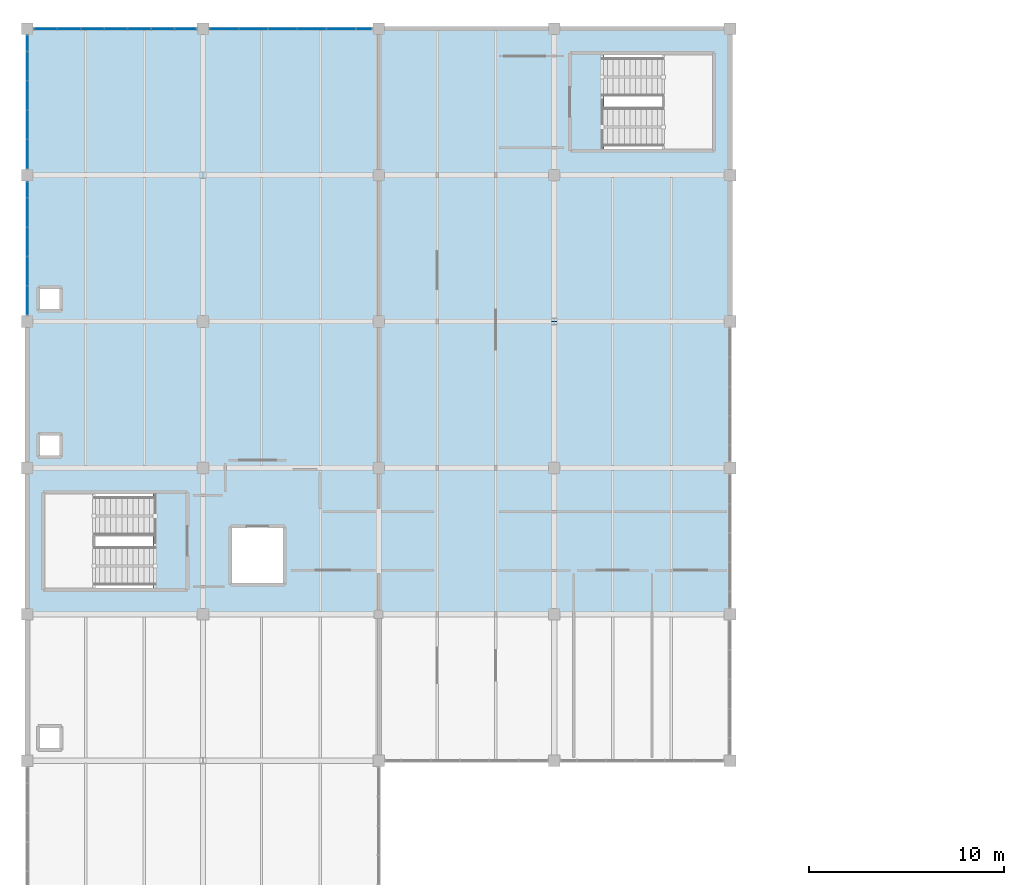
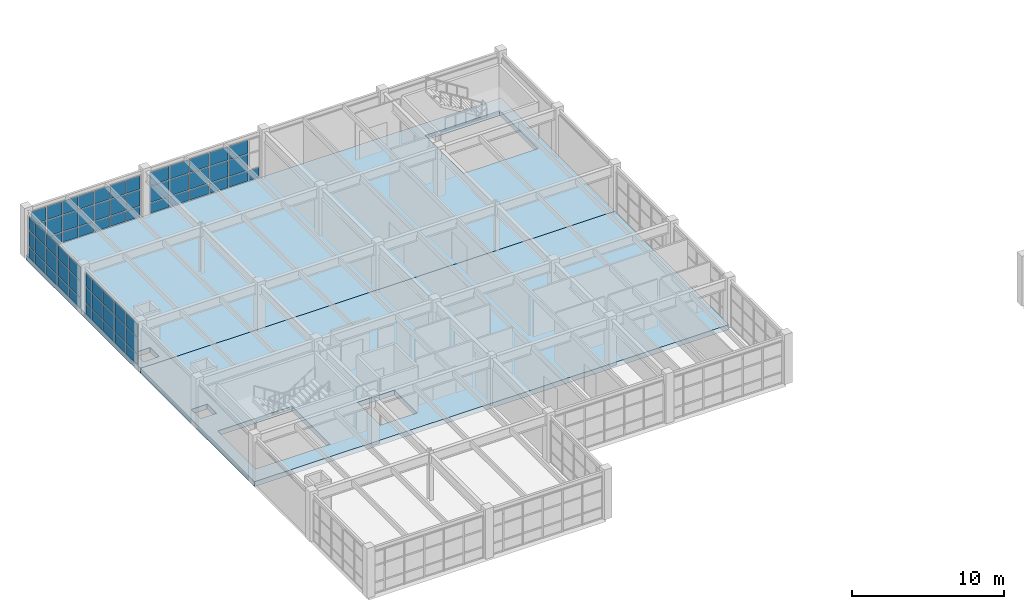
# One storey, part 54 of 76: 67 plates, 2 slabs, 4 elements without a shape of their own.
"""IFC4 building model written with IfcOpenShell, lengths in metres."""

from ifc_helpers import new_model, si_unit, direction, frame, origin, origin_2d, place, context, subcontext, project, spatial, polyline, rectangle, outline, extrude, material, layer, layer_set, type_object, element, aggregate, save


model = new_model("IFC4")

# Units and contexts
model_context = context("Model", 3, precision=1e-05, world=origin(), true_north=direction((0.0, 1.0)))
body_context = subcontext(model_context, "Body", "Model", "MODEL_VIEW")
ifc_project = project(units=[si_unit("LENGTHUNIT", "METRE"), si_unit("AREAUNIT", "SQUARE_METRE"), si_unit("VOLUMEUNIT", "CUBIC_METRE"), si_unit("PLANEANGLEUNIT", "RADIAN"), si_unit("MASSUNIT", "GRAM", prefix="KILO")], contexts=[model_context])

# Site, building, storey
site_placement = place(None, origin())
site = spatial("IfcSite", under=ifc_project, at=site_placement, CompositionType="ELEMENT")
building_placement = place(site_placement, origin())
building = spatial("IfcBuilding", under=site, at=building_placement, Name="Marnridge Secondary College", CompositionType="ELEMENT")
storey_placement = place(building_placement, frame((0.0, 0.0, 4.5)))
storey = spatial("IfcBuildingStorey", under=building, at=storey_placement, Name="L01", CompositionType="ELEMENT", Elevation=4.5)

# Curtain wall, plates
ifc_material_1 = material(Name="Thermally broken aluminium and low-E glazing", Category="aluminium")
ifc_layer_1 = layer(ifc_material_1, 0.179931640625)
ifc_layer_set_1 = layer_set([ifc_layer_1], Name="CW-MOD-1200")
curtain_wall_type_1 = type_object("IfcCurtainWallType", Name="CW-MOD-1200", PredefinedType="NOTDEFINED", material=ifc_layer_set_1)
curtain_wall_1_placement = place(storey_placement, origin())
curtain_wall_1 = element("IfcCurtainWall", 1, at=curtain_wall_1_placement, inside=storey, type_object=curtain_wall_type_1, Name="Unitised curtain wall CW-L01-046", PredefinedType="NOTDEFINED")
ifc_material_2 = material(Name="Double-glazed low-E argon unit", Category="glass")
ifc_layer_2 = layer(ifc_material_2, 0.028076171875)
ifc_layer_set_2 = layer_set([ifc_layer_2], Name="CWP-GLZ28")
plate_type = type_object("IfcPlateType", Name="CWP-GLZ28", PredefinedType="CURTAIN_PANEL", material=ifc_layer_set_2)
plate_1_placement = place(storey_placement, frame((0.9365234375, 120.0, 0.06005859375), z_axis=(0.0, 0.0, 1.0), x_axis=(1.0, 0.0, 0.0)))
plate_1 = element("IfcPlate", 2, at=plate_1_placement, type_object=plate_type, Name="CW-L01-046 panel 1.1", PredefinedType="CURTAIN_PANEL", context=body_context, shape_type="SweptSolid", body=[
    extrude(rectangle(XDim=1.135009765625, YDim=0.028076171875, at=origin_2d()), origin(), (0.0, 0.0, 1.0), 0.81005859375),
])
plate_2_placement = place(storey_placement, frame((0.9365234375, 120.0, 0.929931640625), z_axis=(0.0, 0.0, 1.0), x_axis=(1.0, 0.0, 0.0)))
plate_2 = element("IfcPlate", 3, at=plate_2_placement, type_object=plate_type, Name="CW-L01-046 panel 1.2", PredefinedType="CURTAIN_PANEL", context=body_context, shape_type="SweptSolid", body=[
    extrude(rectangle(XDim=1.135009765625, YDim=0.028076171875, at=origin_2d()), origin(), (0.0, 0.0, 1.0), 1.2900390625),
])
plate_3_placement = place(storey_placement, frame((0.9365234375, 120.0, 2.280029296875), z_axis=(0.0, 0.0, 1.0), x_axis=(1.0, 0.0, 0.0)))
plate_3 = element("IfcPlate", 4, at=plate_3_placement, type_object=plate_type, Name="CW-L01-046 panel 1.3", PredefinedType="CURTAIN_PANEL", context=body_context, shape_type="SweptSolid", body=[
    extrude(rectangle(XDim=1.135009765625, YDim=0.028076171875, at=origin_2d()), origin(), (0.0, 0.0, 1.0), 1.06005859375),
])
plate_4_placement = place(storey_placement, frame((2.136474609375, 120.0, 0.06005859375), z_axis=(0.0, 0.0, 1.0), x_axis=(1.0, 0.0, 0.0)))
plate_4 = element("IfcPlate", 5, at=plate_4_placement, type_object=plate_type, Name="CW-L01-046 panel 2.1", PredefinedType="CURTAIN_PANEL", context=body_context, shape_type="SweptSolid", body=[
    extrude(rectangle(XDim=1.135009765625, YDim=0.028076171875, at=origin_2d()), origin(), (0.0, 0.0, 1.0), 0.81005859375),
])
plate_5_placement = place(storey_placement, frame((2.136474609375, 120.0, 0.929931640625), z_axis=(0.0, 0.0, 1.0), x_axis=(1.0, 0.0, 0.0)))
plate_5 = element("IfcPlate", 6, at=plate_5_placement, type_object=plate_type, Name="CW-L01-046 panel 2.2", PredefinedType="CURTAIN_PANEL", context=body_context, shape_type="SweptSolid", body=[
    extrude(rectangle(XDim=1.135009765625, YDim=0.028076171875, at=origin_2d()), origin(), (0.0, 0.0, 1.0), 1.2900390625),
])
plate_6_placement = place(storey_placement, frame((2.136474609375, 120.0, 2.280029296875), z_axis=(0.0, 0.0, 1.0), x_axis=(1.0, 0.0, 0.0)))
plate_6 = element("IfcPlate", 7, at=plate_6_placement, type_object=plate_type, Name="CW-L01-046 panel 2.3", PredefinedType="CURTAIN_PANEL", context=body_context, shape_type="SweptSolid", body=[
    extrude(rectangle(XDim=1.135009765625, YDim=0.028076171875, at=origin_2d()), origin(), (0.0, 0.0, 1.0), 1.06005859375),
])
plate_7_placement = place(storey_placement, frame((3.33642578125, 120.0, 0.06005859375), z_axis=(0.0, 0.0, 1.0), x_axis=(1.0, 0.0, 0.0)))
plate_7 = element("IfcPlate", 8, at=plate_7_placement, type_object=plate_type, Name="CW-L01-046 panel 3.1", PredefinedType="CURTAIN_PANEL", context=body_context, shape_type="SweptSolid", body=[
    extrude(rectangle(XDim=1.135009765625, YDim=0.028076171875, at=origin_2d()), origin(), (0.0, 0.0, 1.0), 0.81005859375),
])
plate_8_placement = place(storey_placement, frame((3.33642578125, 120.0, 0.929931640625), z_axis=(0.0, 0.0, 1.0), x_axis=(1.0, 0.0, 0.0)))
plate_8 = element("IfcPlate", 9, at=plate_8_placement, type_object=plate_type, Name="CW-L01-046 panel 3.2", PredefinedType="CURTAIN_PANEL", context=body_context, shape_type="SweptSolid", body=[
    extrude(rectangle(XDim=1.135009765625, YDim=0.028076171875, at=origin_2d()), origin(), (0.0, 0.0, 1.0), 1.2900390625),
])
plate_9_placement = place(storey_placement, frame((3.33642578125, 120.0, 2.280029296875), z_axis=(0.0, 0.0, 1.0), x_axis=(1.0, 0.0, 0.0)))
plate_9 = element("IfcPlate", 10, at=plate_9_placement, type_object=plate_type, Name="CW-L01-046 panel 3.3", PredefinedType="CURTAIN_PANEL", context=body_context, shape_type="SweptSolid", body=[
    extrude(rectangle(XDim=1.135009765625, YDim=0.028076171875, at=origin_2d()), origin(), (0.0, 0.0, 1.0), 1.06005859375),
])
plate_10_placement = place(storey_placement, frame((4.53662109375, 120.0, 0.06005859375), z_axis=(0.0, 0.0, 1.0), x_axis=(1.0, 0.0, 0.0)))
plate_10 = element("IfcPlate", 11, at=plate_10_placement, type_object=plate_type, Name="CW-L01-046 panel 4.1", PredefinedType="CURTAIN_PANEL", context=body_context, shape_type="SweptSolid", body=[
    extrude(rectangle(XDim=1.135009765625, YDim=0.028076171875, at=origin_2d()), origin(), (0.0, 0.0, 1.0), 0.81005859375),
])
plate_11_placement = place(storey_placement, frame((4.53662109375, 120.0, 0.929931640625), z_axis=(0.0, 0.0, 1.0), x_axis=(1.0, 0.0, 0.0)))
plate_11 = element("IfcPlate", 12, at=plate_11_placement, type_object=plate_type, Name="CW-L01-046 panel 4.2", PredefinedType="CURTAIN_PANEL", context=body_context, shape_type="SweptSolid", body=[
    extrude(rectangle(XDim=1.135009765625, YDim=0.028076171875, at=origin_2d()), origin(), (0.0, 0.0, 1.0), 1.2900390625),
])
plate_12_placement = place(storey_placement, frame((4.53662109375, 120.0, 2.280029296875), z_axis=(0.0, 0.0, 1.0), x_axis=(1.0, 0.0, 0.0)))
plate_12 = element("IfcPlate", 13, at=plate_12_placement, type_object=plate_type, Name="CW-L01-046 panel 4.3", PredefinedType="CURTAIN_PANEL", context=body_context, shape_type="SweptSolid", body=[
    extrude(rectangle(XDim=1.135009765625, YDim=0.028076171875, at=origin_2d()), origin(), (0.0, 0.0, 1.0), 1.06005859375),
])
plate_13_placement = place(storey_placement, frame((5.736572265625, 120.0, 0.06005859375), z_axis=(0.0, 0.0, 1.0), x_axis=(1.0, 0.0, 0.0)))
plate_13 = element("IfcPlate", 14, at=plate_13_placement, type_object=plate_type, Name="CW-L01-046 panel 5.1", PredefinedType="CURTAIN_PANEL", context=body_context, shape_type="SweptSolid", body=[
    extrude(rectangle(XDim=1.135009765625, YDim=0.028076171875, at=origin_2d()), origin(), (0.0, 0.0, 1.0), 0.81005859375),
])
plate_14_placement = place(storey_placement, frame((5.736572265625, 120.0, 0.929931640625), z_axis=(0.0, 0.0, 1.0), x_axis=(1.0, 0.0, 0.0)))
plate_14 = element("IfcPlate", 15, at=plate_14_placement, type_object=plate_type, Name="CW-L01-046 panel 5.2", PredefinedType="CURTAIN_PANEL", context=body_context, shape_type="SweptSolid", body=[
    extrude(rectangle(XDim=1.135009765625, YDim=0.028076171875, at=origin_2d()), origin(), (0.0, 0.0, 1.0), 1.2900390625),
])
plate_15_placement = place(storey_placement, frame((5.736572265625, 120.0, 2.280029296875), z_axis=(0.0, 0.0, 1.0), x_axis=(1.0, 0.0, 0.0)))
plate_15 = element("IfcPlate", 16, at=plate_15_placement, type_object=plate_type, Name="CW-L01-046 panel 5.3", PredefinedType="CURTAIN_PANEL", context=body_context, shape_type="SweptSolid", body=[
    extrude(rectangle(XDim=1.135009765625, YDim=0.028076171875, at=origin_2d()), origin(), (0.0, 0.0, 1.0), 1.06005859375),
])
plate_16_placement = place(storey_placement, frame((6.9365234375, 120.0, 0.06005859375), z_axis=(0.0, 0.0, 1.0), x_axis=(1.0, 0.0, 0.0)))
plate_16 = element("IfcPlate", 17, at=plate_16_placement, type_object=plate_type, Name="CW-L01-046 panel 6.1", PredefinedType="CURTAIN_PANEL", context=body_context, shape_type="SweptSolid", body=[
    extrude(rectangle(XDim=1.135009765625, YDim=0.028076171875, at=origin_2d()), origin(), (0.0, 0.0, 1.0), 0.81005859375),
])
plate_17_placement = place(storey_placement, frame((6.9365234375, 120.0, 0.929931640625), z_axis=(0.0, 0.0, 1.0), x_axis=(1.0, 0.0, 0.0)))
plate_17 = element("IfcPlate", 18, at=plate_17_placement, type_object=plate_type, Name="CW-L01-046 panel 6.2", PredefinedType="CURTAIN_PANEL", context=body_context, shape_type="SweptSolid", body=[
    extrude(rectangle(XDim=1.135009765625, YDim=0.028076171875, at=origin_2d()), origin(), (0.0, 0.0, 1.0), 1.2900390625),
])
plate_18_placement = place(storey_placement, frame((6.9365234375, 120.0, 2.280029296875), z_axis=(0.0, 0.0, 1.0), x_axis=(1.0, 0.0, 0.0)))
plate_18 = element("IfcPlate", 19, at=plate_18_placement, type_object=plate_type, Name="CW-L01-046 panel 6.3", PredefinedType="CURTAIN_PANEL", context=body_context, shape_type="SweptSolid", body=[
    extrude(rectangle(XDim=1.135009765625, YDim=0.028076171875, at=origin_2d()), origin(), (0.0, 0.0, 1.0), 1.06005859375),
])
plate_19_placement = place(storey_placement, frame((8.10009765625, 120.0, 0.06005859375), z_axis=(0.0, 0.0, 1.0), x_axis=(1.0, 0.0, 0.0)))
plate_19 = element("IfcPlate", 20, at=plate_19_placement, type_object=plate_type, Name="CW-L01-046 panel 7.1", PredefinedType="CURTAIN_PANEL", context=body_context, shape_type="SweptSolid", body=[
    extrude(rectangle(XDim=1.06201171875, YDim=0.028076171875, at=origin_2d()), origin(), (0.0, 0.0, 1.0), 0.81005859375),
])
plate_20_placement = place(storey_placement, frame((8.10009765625, 120.0, 0.929931640625), z_axis=(0.0, 0.0, 1.0), x_axis=(1.0, 0.0, 0.0)))
plate_20 = element("IfcPlate", 21, at=plate_20_placement, type_object=plate_type, Name="CW-L01-046 panel 7.2", PredefinedType="CURTAIN_PANEL", context=body_context, shape_type="SweptSolid", body=[
    extrude(rectangle(XDim=1.06201171875, YDim=0.028076171875, at=origin_2d()), origin(), (0.0, 0.0, 1.0), 1.2900390625),
])
plate_21_placement = place(storey_placement, frame((8.10009765625, 120.0, 2.280029296875), z_axis=(0.0, 0.0, 1.0), x_axis=(1.0, 0.0, 0.0)))
plate_21 = element("IfcPlate", 22, at=plate_21_placement, type_object=plate_type, Name="CW-L01-046 panel 7.3", PredefinedType="CURTAIN_PANEL", context=body_context, shape_type="SweptSolid", body=[
    extrude(rectangle(XDim=1.06201171875, YDim=0.028076171875, at=origin_2d()), origin(), (0.0, 0.0, 1.0), 1.06005859375),
])
aggregate(curtain_wall_1, [plate_1, plate_2, plate_3, plate_4, plate_5, plate_6, plate_7, plate_8, plate_9, plate_10, plate_11, plate_12, plate_13, plate_14, plate_15, plate_16, plate_17, plate_18, plate_19, plate_20, plate_21])

ifc_material_3 = material(Name="Thermally broken aluminium and low-E glazing", Category="aluminium")
ifc_layer_3 = layer(ifc_material_3, 0.159912109375)
ifc_layer_set_3 = layer_set([ifc_layer_3], Name="CW-MOD-1500")
curtain_wall_type_2 = type_object("IfcCurtainWallType", Name="CW-MOD-1500", PredefinedType="NOTDEFINED", material=ifc_layer_set_3)
curtain_wall_2_placement = place(storey_placement, origin())
curtain_wall_2 = element("IfcCurtainWall", 23, at=curtain_wall_2_placement, inside=storey, type_object=curtain_wall_type_2, Name="Unitised curtain wall CW-L01-047", PredefinedType="NOTDEFINED")
plate_22_placement = place(storey_placement, frame((10.083984375, 120.0, 0.06005859375), z_axis=(0.0, 0.0, 1.0), x_axis=(1.0, 0.0, 0.0)))
plate_22 = element("IfcPlate", 24, at=plate_22_placement, type_object=plate_type, Name="CW-L01-047 panel 1.1", PredefinedType="CURTAIN_PANEL", context=body_context, shape_type="SweptSolid", body=[
    extrude(rectangle(XDim=1.43994140625, YDim=0.028076171875, at=origin_2d()), origin(), (0.0, 0.0, 1.0), 0.81005859375),
])
plate_23_placement = place(storey_placement, frame((10.083984375, 120.0, 0.929931640625), z_axis=(0.0, 0.0, 1.0), x_axis=(1.0, 0.0, 0.0)))
plate_23 = element("IfcPlate", 25, at=plate_23_placement, type_object=plate_type, Name="CW-L01-047 panel 1.2", PredefinedType="CURTAIN_PANEL", context=body_context, shape_type="SweptSolid", body=[
    extrude(rectangle(XDim=1.43994140625, YDim=0.028076171875, at=origin_2d()), origin(), (0.0, 0.0, 1.0), 1.2900390625),
])
plate_24_placement = place(storey_placement, frame((10.083984375, 120.0, 2.280029296875), z_axis=(0.0, 0.0, 1.0), x_axis=(1.0, 0.0, 0.0)))
plate_24 = element("IfcPlate", 26, at=plate_24_placement, type_object=plate_type, Name="CW-L01-047 panel 1.3", PredefinedType="CURTAIN_PANEL", context=body_context, shape_type="SweptSolid", body=[
    extrude(rectangle(XDim=1.43994140625, YDim=0.028076171875, at=origin_2d()), origin(), (0.0, 0.0, 1.0), 1.06005859375),
])
plate_25_placement = place(storey_placement, frame((11.583984375, 120.0, 0.06005859375), z_axis=(0.0, 0.0, 1.0), x_axis=(1.0, 0.0, 0.0)))
plate_25 = element("IfcPlate", 27, at=plate_25_placement, type_object=plate_type, Name="CW-L01-047 panel 2.1", PredefinedType="CURTAIN_PANEL", context=body_context, shape_type="SweptSolid", body=[
    extrude(rectangle(XDim=1.43994140625, YDim=0.028076171875, at=origin_2d()), origin(), (0.0, 0.0, 1.0), 0.81005859375),
])
plate_26_placement = place(storey_placement, frame((11.583984375, 120.0, 0.929931640625), z_axis=(0.0, 0.0, 1.0), x_axis=(1.0, 0.0, 0.0)))
plate_26 = element("IfcPlate", 28, at=plate_26_placement, type_object=plate_type, Name="CW-L01-047 panel 2.2", PredefinedType="CURTAIN_PANEL", context=body_context, shape_type="SweptSolid", body=[
    extrude(rectangle(XDim=1.43994140625, YDim=0.028076171875, at=origin_2d()), origin(), (0.0, 0.0, 1.0), 1.2900390625),
])
plate_27_placement = place(storey_placement, frame((11.583984375, 120.0, 2.280029296875), z_axis=(0.0, 0.0, 1.0), x_axis=(1.0, 0.0, 0.0)))
plate_27 = element("IfcPlate", 29, at=plate_27_placement, type_object=plate_type, Name="CW-L01-047 panel 2.3", PredefinedType="CURTAIN_PANEL", context=body_context, shape_type="SweptSolid", body=[
    extrude(rectangle(XDim=1.43994140625, YDim=0.028076171875, at=origin_2d()), origin(), (0.0, 0.0, 1.0), 1.06005859375),
])
plate_28_placement = place(storey_placement, frame((13.083984375, 120.0, 0.06005859375), z_axis=(0.0, 0.0, 1.0), x_axis=(1.0, 0.0, 0.0)))
plate_28 = element("IfcPlate", 30, at=plate_28_placement, type_object=plate_type, Name="CW-L01-047 panel 3.1", PredefinedType="CURTAIN_PANEL", context=body_context, shape_type="SweptSolid", body=[
    extrude(rectangle(XDim=1.43994140625, YDim=0.028076171875, at=origin_2d()), origin(), (0.0, 0.0, 1.0), 0.81005859375),
])
plate_29_placement = place(storey_placement, frame((13.083984375, 120.0, 0.929931640625), z_axis=(0.0, 0.0, 1.0), x_axis=(1.0, 0.0, 0.0)))
plate_29 = element("IfcPlate", 31, at=plate_29_placement, type_object=plate_type, Name="CW-L01-047 panel 3.2", PredefinedType="CURTAIN_PANEL", context=body_context, shape_type="SweptSolid", body=[
    extrude(rectangle(XDim=1.43994140625, YDim=0.028076171875, at=origin_2d()), origin(), (0.0, 0.0, 1.0), 1.2900390625),
])
plate_30_placement = place(storey_placement, frame((13.083984375, 120.0, 2.280029296875), z_axis=(0.0, 0.0, 1.0), x_axis=(1.0, 0.0, 0.0)))
plate_30 = element("IfcPlate", 32, at=plate_30_placement, type_object=plate_type, Name="CW-L01-047 panel 3.3", PredefinedType="CURTAIN_PANEL", context=body_context, shape_type="SweptSolid", body=[
    extrude(rectangle(XDim=1.43994140625, YDim=0.028076171875, at=origin_2d()), origin(), (0.0, 0.0, 1.0), 1.06005859375),
])
plate_31_placement = place(storey_placement, frame((14.583984375, 120.0, 0.06005859375), z_axis=(0.0, 0.0, 1.0), x_axis=(1.0, 0.0, 0.0)))
plate_31 = element("IfcPlate", 33, at=plate_31_placement, type_object=plate_type, Name="CW-L01-047 panel 4.1", PredefinedType="CURTAIN_PANEL", context=body_context, shape_type="SweptSolid", body=[
    extrude(rectangle(XDim=1.43994140625, YDim=0.028076171875, at=origin_2d()), origin(), (0.0, 0.0, 1.0), 0.81005859375),
])
plate_32_placement = place(storey_placement, frame((14.583984375, 120.0, 0.929931640625), z_axis=(0.0, 0.0, 1.0), x_axis=(1.0, 0.0, 0.0)))
plate_32 = element("IfcPlate", 34, at=plate_32_placement, type_object=plate_type, Name="CW-L01-047 panel 4.2", PredefinedType="CURTAIN_PANEL", context=body_context, shape_type="SweptSolid", body=[
    extrude(rectangle(XDim=1.43994140625, YDim=0.028076171875, at=origin_2d()), origin(), (0.0, 0.0, 1.0), 1.2900390625),
])
plate_33_placement = place(storey_placement, frame((14.583984375, 120.0, 2.280029296875), z_axis=(0.0, 0.0, 1.0), x_axis=(1.0, 0.0, 0.0)))
plate_33 = element("IfcPlate", 35, at=plate_33_placement, type_object=plate_type, Name="CW-L01-047 panel 4.3", PredefinedType="CURTAIN_PANEL", context=body_context, shape_type="SweptSolid", body=[
    extrude(rectangle(XDim=1.43994140625, YDim=0.028076171875, at=origin_2d()), origin(), (0.0, 0.0, 1.0), 1.06005859375),
])
plate_34_placement = place(storey_placement, frame((16.083984375, 120.0, 0.06005859375), z_axis=(0.0, 0.0, 1.0), x_axis=(1.0, 0.0, 0.0)))
plate_34 = element("IfcPlate", 36, at=plate_34_placement, type_object=plate_type, Name="CW-L01-047 panel 5.1", PredefinedType="CURTAIN_PANEL", context=body_context, shape_type="SweptSolid", body=[
    extrude(rectangle(XDim=1.43994140625, YDim=0.028076171875, at=origin_2d()), origin(), (0.0, 0.0, 1.0), 0.81005859375),
])
plate_35_placement = place(storey_placement, frame((16.083984375, 120.0, 0.929931640625), z_axis=(0.0, 0.0, 1.0), x_axis=(1.0, 0.0, 0.0)))
plate_35 = element("IfcPlate", 37, at=plate_35_placement, type_object=plate_type, Name="CW-L01-047 panel 5.2", PredefinedType="CURTAIN_PANEL", context=body_context, shape_type="SweptSolid", body=[
    extrude(rectangle(XDim=1.43994140625, YDim=0.028076171875, at=origin_2d()), origin(), (0.0, 0.0, 1.0), 1.2900390625),
])
plate_36_placement = place(storey_placement, frame((16.083984375, 120.0, 2.280029296875), z_axis=(0.0, 0.0, 1.0), x_axis=(1.0, 0.0, 0.0)))
plate_36 = element("IfcPlate", 38, at=plate_36_placement, type_object=plate_type, Name="CW-L01-047 panel 5.3", PredefinedType="CURTAIN_PANEL", context=body_context, shape_type="SweptSolid", body=[
    extrude(rectangle(XDim=1.43994140625, YDim=0.028076171875, at=origin_2d()), origin(), (0.0, 0.0, 1.0), 1.06005859375),
])
plate_37_placement = place(storey_placement, frame((17.25, 120.0, 0.06005859375), z_axis=(0.0, 0.0, 1.0), x_axis=(1.0, 0.0, 0.0)))
plate_37 = element("IfcPlate", 39, at=plate_37_placement, type_object=plate_type, Name="CW-L01-047 panel 6.1", PredefinedType="CURTAIN_PANEL", context=body_context, shape_type="SweptSolid", body=[
    extrude(rectangle(XDim=0.77197265625, YDim=0.028076171875, at=origin_2d()), origin(), (0.0, 0.0, 1.0), 0.81005859375),
])
aggregate(curtain_wall_2, [plate_22, plate_23, plate_24, plate_25, plate_26, plate_27, plate_28, plate_29, plate_30, plate_31, plate_32, plate_33, plate_34, plate_35, plate_36, plate_37])

curtain_wall_3_placement = place(storey_placement, origin())
curtain_wall_3 = element("IfcCurtainWall", 40, at=curtain_wall_3_placement, inside=storey, type_object=curtain_wall_type_2, Name="Unitised curtain wall CW-L01-057", PredefinedType="NOTDEFINED")
plate_38_placement = place(storey_placement, frame((0.0, 106.083984375, 0.06005859375), z_axis=(0.0, 0.0, 1.0), x_axis=(0.0, 1.0, 0.0)))
plate_38 = element("IfcPlate", 41, at=plate_38_placement, type_object=plate_type, Name="CW-L01-057 panel 1.1", PredefinedType="CURTAIN_PANEL", context=body_context, shape_type="SweptSolid", body=[
    extrude(rectangle(XDim=1.43994140625, YDim=0.028076171875, at=origin_2d()), origin(), (0.0, 0.0, 1.0), 0.81005859375),
])
plate_39_placement = place(storey_placement, frame((0.0, 106.083984375, 0.929931640625), z_axis=(0.0, 0.0, 1.0), x_axis=(0.0, 1.0, 0.0)))
plate_39 = element("IfcPlate", 42, at=plate_39_placement, type_object=plate_type, Name="CW-L01-057 panel 1.2", PredefinedType="CURTAIN_PANEL", context=body_context, shape_type="SweptSolid", body=[
    extrude(rectangle(XDim=1.43994140625, YDim=0.028076171875, at=origin_2d()), origin(), (0.0, 0.0, 1.0), 1.2900390625),
])
plate_40_placement = place(storey_placement, frame((0.0, 106.083984375, 2.280029296875), z_axis=(0.0, 0.0, 1.0), x_axis=(0.0, 1.0, 0.0)))
plate_40 = element("IfcPlate", 43, at=plate_40_placement, type_object=plate_type, Name="CW-L01-057 panel 1.3", PredefinedType="CURTAIN_PANEL", context=body_context, shape_type="SweptSolid", body=[
    extrude(rectangle(XDim=1.43994140625, YDim=0.028076171875, at=origin_2d()), origin(), (0.0, 0.0, 1.0), 1.06005859375),
])
plate_41_placement = place(storey_placement, frame((0.0, 107.583984375, 0.06005859375), z_axis=(0.0, 0.0, 1.0), x_axis=(0.0, 1.0, 0.0)))
plate_41 = element("IfcPlate", 44, at=plate_41_placement, type_object=plate_type, Name="CW-L01-057 panel 2.1", PredefinedType="CURTAIN_PANEL", context=body_context, shape_type="SweptSolid", body=[
    extrude(rectangle(XDim=1.43994140625, YDim=0.028076171875, at=origin_2d()), origin(), (0.0, 0.0, 1.0), 0.81005859375),
])
plate_42_placement = place(storey_placement, frame((0.0, 107.583984375, 0.929931640625), z_axis=(0.0, 0.0, 1.0), x_axis=(0.0, 1.0, 0.0)))
plate_42 = element("IfcPlate", 45, at=plate_42_placement, type_object=plate_type, Name="CW-L01-057 panel 2.2", PredefinedType="CURTAIN_PANEL", context=body_context, shape_type="SweptSolid", body=[
    extrude(rectangle(XDim=1.43994140625, YDim=0.028076171875, at=origin_2d()), origin(), (0.0, 0.0, 1.0), 1.2900390625),
])
plate_43_placement = place(storey_placement, frame((0.0, 107.583984375, 2.280029296875), z_axis=(0.0, 0.0, 1.0), x_axis=(0.0, 1.0, 0.0)))
plate_43 = element("IfcPlate", 46, at=plate_43_placement, type_object=plate_type, Name="CW-L01-057 panel 2.3", PredefinedType="CURTAIN_PANEL", context=body_context, shape_type="SweptSolid", body=[
    extrude(rectangle(XDim=1.43994140625, YDim=0.028076171875, at=origin_2d()), origin(), (0.0, 0.0, 1.0), 1.06005859375),
])
plate_44_placement = place(storey_placement, frame((0.0, 109.083984375, 0.06005859375), z_axis=(0.0, 0.0, 1.0), x_axis=(0.0, 1.0, 0.0)))
plate_44 = element("IfcPlate", 47, at=plate_44_placement, type_object=plate_type, Name="CW-L01-057 panel 3.1", PredefinedType="CURTAIN_PANEL", context=body_context, shape_type="SweptSolid", body=[
    extrude(rectangle(XDim=1.43994140625, YDim=0.028076171875, at=origin_2d()), origin(), (0.0, 0.0, 1.0), 0.81005859375),
])
plate_45_placement = place(storey_placement, frame((0.0, 109.083984375, 0.929931640625), z_axis=(0.0, 0.0, 1.0), x_axis=(0.0, 1.0, 0.0)))
plate_45 = element("IfcPlate", 48, at=plate_45_placement, type_object=plate_type, Name="CW-L01-057 panel 3.2", PredefinedType="CURTAIN_PANEL", context=body_context, shape_type="SweptSolid", body=[
    extrude(rectangle(XDim=1.43994140625, YDim=0.028076171875, at=origin_2d()), origin(), (0.0, 0.0, 1.0), 1.2900390625),
])
plate_46_placement = place(storey_placement, frame((0.0, 109.083984375, 2.280029296875), z_axis=(0.0, 0.0, 1.0), x_axis=(0.0, 1.0, 0.0)))
plate_46 = element("IfcPlate", 49, at=plate_46_placement, type_object=plate_type, Name="CW-L01-057 panel 3.3", PredefinedType="CURTAIN_PANEL", context=body_context, shape_type="SweptSolid", body=[
    extrude(rectangle(XDim=1.43994140625, YDim=0.028076171875, at=origin_2d()), origin(), (0.0, 0.0, 1.0), 1.06005859375),
])
plate_47_placement = place(storey_placement, frame((0.0, 110.583984375, 0.06005859375), z_axis=(0.0, 0.0, 1.0), x_axis=(0.0, 1.0, 0.0)))
plate_47 = element("IfcPlate", 50, at=plate_47_placement, type_object=plate_type, Name="CW-L01-057 panel 4.1", PredefinedType="CURTAIN_PANEL", context=body_context, shape_type="SweptSolid", body=[
    extrude(rectangle(XDim=1.43994140625, YDim=0.028076171875, at=origin_2d()), origin(), (0.0, 0.0, 1.0), 0.81005859375),
])
plate_48_placement = place(storey_placement, frame((0.0, 110.583984375, 0.929931640625), z_axis=(0.0, 0.0, 1.0), x_axis=(0.0, 1.0, 0.0)))
plate_48 = element("IfcPlate", 51, at=plate_48_placement, type_object=plate_type, Name="CW-L01-057 panel 4.2", PredefinedType="CURTAIN_PANEL", context=body_context, shape_type="SweptSolid", body=[
    extrude(rectangle(XDim=1.43994140625, YDim=0.028076171875, at=origin_2d()), origin(), (0.0, 0.0, 1.0), 1.2900390625),
])
plate_49_placement = place(storey_placement, frame((0.0, 110.583984375, 2.280029296875), z_axis=(0.0, 0.0, 1.0), x_axis=(0.0, 1.0, 0.0)))
plate_49 = element("IfcPlate", 52, at=plate_49_placement, type_object=plate_type, Name="CW-L01-057 panel 4.3", PredefinedType="CURTAIN_PANEL", context=body_context, shape_type="SweptSolid", body=[
    extrude(rectangle(XDim=1.43994140625, YDim=0.028076171875, at=origin_2d()), origin(), (0.0, 0.0, 1.0), 1.06005859375),
])
plate_50_placement = place(storey_placement, frame((0.0, 111.75, 0.06005859375), z_axis=(0.0, 0.0, 1.0), x_axis=(0.0, 1.0, 0.0)))
plate_50 = element("IfcPlate", 53, at=plate_50_placement, type_object=plate_type, Name="CW-L01-057 panel 5.1", PredefinedType="CURTAIN_PANEL", context=body_context, shape_type="SweptSolid", body=[
    extrude(rectangle(XDim=0.77197265625, YDim=0.028076171875, at=origin_2d()), origin(), (0.0, 0.0, 1.0), 0.81005859375),
])
plate_51_placement = place(storey_placement, frame((0.0, 111.75, 0.929931640625), z_axis=(0.0, 0.0, 1.0), x_axis=(0.0, 1.0, 0.0)))
plate_51 = element("IfcPlate", 54, at=plate_51_placement, type_object=plate_type, Name="CW-L01-057 panel 5.2", PredefinedType="CURTAIN_PANEL", context=body_context, shape_type="SweptSolid", body=[
    extrude(rectangle(XDim=0.77197265625, YDim=0.028076171875, at=origin_2d()), origin(), (0.0, 0.0, 1.0), 1.2900390625),
])
plate_52_placement = place(storey_placement, frame((0.0, 111.75, 2.280029296875), z_axis=(0.0, 0.0, 1.0), x_axis=(0.0, 1.0, 0.0)))
plate_52 = element("IfcPlate", 55, at=plate_52_placement, type_object=plate_type, Name="CW-L01-057 panel 5.3", PredefinedType="CURTAIN_PANEL", context=body_context, shape_type="SweptSolid", body=[
    extrude(rectangle(XDim=0.77197265625, YDim=0.028076171875, at=origin_2d()), origin(), (0.0, 0.0, 1.0), 1.06005859375),
])
aggregate(curtain_wall_3, [plate_38, plate_39, plate_40, plate_41, plate_42, plate_43, plate_44, plate_45, plate_46, plate_47, plate_48, plate_49, plate_50, plate_51, plate_52])

curtain_wall_4_placement = place(storey_placement, origin())
curtain_wall_4 = element("IfcCurtainWall", 56, at=curtain_wall_4_placement, inside=storey, type_object=curtain_wall_type_2, Name="Unitised curtain wall CW-L01-058", PredefinedType="NOTDEFINED")
plate_53_placement = place(storey_placement, frame((0.0, 113.583984375, 0.06005859375), z_axis=(0.0, 0.0, 1.0), x_axis=(0.0, 1.0, 0.0)))
plate_53 = element("IfcPlate", 57, at=plate_53_placement, type_object=plate_type, Name="CW-L01-058 panel 1.1", PredefinedType="CURTAIN_PANEL", context=body_context, shape_type="SweptSolid", body=[
    extrude(rectangle(XDim=1.43994140625, YDim=0.028076171875, at=origin_2d()), origin(), (0.0, 0.0, 1.0), 0.81005859375),
])
plate_54_placement = place(storey_placement, frame((0.0, 113.583984375, 0.929931640625), z_axis=(0.0, 0.0, 1.0), x_axis=(0.0, 1.0, 0.0)))
plate_54 = element("IfcPlate", 58, at=plate_54_placement, type_object=plate_type, Name="CW-L01-058 panel 1.2", PredefinedType="CURTAIN_PANEL", context=body_context, shape_type="SweptSolid", body=[
    extrude(rectangle(XDim=1.43994140625, YDim=0.028076171875, at=origin_2d()), origin(), (0.0, 0.0, 1.0), 1.2900390625),
])
plate_55_placement = place(storey_placement, frame((0.0, 113.583984375, 2.280029296875), z_axis=(0.0, 0.0, 1.0), x_axis=(0.0, 1.0, 0.0)))
plate_55 = element("IfcPlate", 59, at=plate_55_placement, type_object=plate_type, Name="CW-L01-058 panel 1.3", PredefinedType="CURTAIN_PANEL", context=body_context, shape_type="SweptSolid", body=[
    extrude(rectangle(XDim=1.43994140625, YDim=0.028076171875, at=origin_2d()), origin(), (0.0, 0.0, 1.0), 1.06005859375),
])
plate_56_placement = place(storey_placement, frame((0.0, 115.083984375, 0.06005859375), z_axis=(0.0, 0.0, 1.0), x_axis=(0.0, 1.0, 0.0)))
plate_56 = element("IfcPlate", 60, at=plate_56_placement, type_object=plate_type, Name="CW-L01-058 panel 2.1", PredefinedType="CURTAIN_PANEL", context=body_context, shape_type="SweptSolid", body=[
    extrude(rectangle(XDim=1.43994140625, YDim=0.028076171875, at=origin_2d()), origin(), (0.0, 0.0, 1.0), 0.81005859375),
])
plate_57_placement = place(storey_placement, frame((0.0, 115.083984375, 0.929931640625), z_axis=(0.0, 0.0, 1.0), x_axis=(0.0, 1.0, 0.0)))
plate_57 = element("IfcPlate", 61, at=plate_57_placement, type_object=plate_type, Name="CW-L01-058 panel 2.2", PredefinedType="CURTAIN_PANEL", context=body_context, shape_type="SweptSolid", body=[
    extrude(rectangle(XDim=1.43994140625, YDim=0.028076171875, at=origin_2d()), origin(), (0.0, 0.0, 1.0), 1.2900390625),
])
plate_58_placement = place(storey_placement, frame((0.0, 115.083984375, 2.280029296875), z_axis=(0.0, 0.0, 1.0), x_axis=(0.0, 1.0, 0.0)))
plate_58 = element("IfcPlate", 62, at=plate_58_placement, type_object=plate_type, Name="CW-L01-058 panel 2.3", PredefinedType="CURTAIN_PANEL", context=body_context, shape_type="SweptSolid", body=[
    extrude(rectangle(XDim=1.43994140625, YDim=0.028076171875, at=origin_2d()), origin(), (0.0, 0.0, 1.0), 1.06005859375),
])
plate_59_placement = place(storey_placement, frame((0.0, 116.583984375, 0.06005859375), z_axis=(0.0, 0.0, 1.0), x_axis=(0.0, 1.0, 0.0)))
plate_59 = element("IfcPlate", 63, at=plate_59_placement, type_object=plate_type, Name="CW-L01-058 panel 3.1", PredefinedType="CURTAIN_PANEL", context=body_context, shape_type="SweptSolid", body=[
    extrude(rectangle(XDim=1.43994140625, YDim=0.028076171875, at=origin_2d()), origin(), (0.0, 0.0, 1.0), 0.81005859375),
])
plate_60_placement = place(storey_placement, frame((0.0, 116.583984375, 0.929931640625), z_axis=(0.0, 0.0, 1.0), x_axis=(0.0, 1.0, 0.0)))
plate_60 = element("IfcPlate", 64, at=plate_60_placement, type_object=plate_type, Name="CW-L01-058 panel 3.2", PredefinedType="CURTAIN_PANEL", context=body_context, shape_type="SweptSolid", body=[
    extrude(rectangle(XDim=1.43994140625, YDim=0.028076171875, at=origin_2d()), origin(), (0.0, 0.0, 1.0), 1.2900390625),
])
plate_61_placement = place(storey_placement, frame((0.0, 116.583984375, 2.280029296875), z_axis=(0.0, 0.0, 1.0), x_axis=(0.0, 1.0, 0.0)))
plate_61 = element("IfcPlate", 65, at=plate_61_placement, type_object=plate_type, Name="CW-L01-058 panel 3.3", PredefinedType="CURTAIN_PANEL", context=body_context, shape_type="SweptSolid", body=[
    extrude(rectangle(XDim=1.43994140625, YDim=0.028076171875, at=origin_2d()), origin(), (0.0, 0.0, 1.0), 1.06005859375),
])
plate_62_placement = place(storey_placement, frame((0.0, 118.083984375, 0.06005859375), z_axis=(0.0, 0.0, 1.0), x_axis=(0.0, 1.0, 0.0)))
plate_62 = element("IfcPlate", 66, at=plate_62_placement, type_object=plate_type, Name="CW-L01-058 panel 4.1", PredefinedType="CURTAIN_PANEL", context=body_context, shape_type="SweptSolid", body=[
    extrude(rectangle(XDim=1.43994140625, YDim=0.028076171875, at=origin_2d()), origin(), (0.0, 0.0, 1.0), 0.81005859375),
])
plate_63_placement = place(storey_placement, frame((0.0, 118.083984375, 0.929931640625), z_axis=(0.0, 0.0, 1.0), x_axis=(0.0, 1.0, 0.0)))
plate_63 = element("IfcPlate", 67, at=plate_63_placement, type_object=plate_type, Name="CW-L01-058 panel 4.2", PredefinedType="CURTAIN_PANEL", context=body_context, shape_type="SweptSolid", body=[
    extrude(rectangle(XDim=1.43994140625, YDim=0.028076171875, at=origin_2d()), origin(), (0.0, 0.0, 1.0), 1.2900390625),
])
plate_64_placement = place(storey_placement, frame((0.0, 118.083984375, 2.280029296875), z_axis=(0.0, 0.0, 1.0), x_axis=(0.0, 1.0, 0.0)))
plate_64 = element("IfcPlate", 68, at=plate_64_placement, type_object=plate_type, Name="CW-L01-058 panel 4.3", PredefinedType="CURTAIN_PANEL", context=body_context, shape_type="SweptSolid", body=[
    extrude(rectangle(XDim=1.43994140625, YDim=0.028076171875, at=origin_2d()), origin(), (0.0, 0.0, 1.0), 1.06005859375),
])
plate_65_placement = place(storey_placement, frame((0.0, 119.25, 0.06005859375), z_axis=(0.0, 0.0, 1.0), x_axis=(0.0, 1.0, 0.0)))
plate_65 = element("IfcPlate", 69, at=plate_65_placement, type_object=plate_type, Name="CW-L01-058 panel 5.1", PredefinedType="CURTAIN_PANEL", context=body_context, shape_type="SweptSolid", body=[
    extrude(rectangle(XDim=0.77197265625, YDim=0.028076171875, at=origin_2d()), origin(), (0.0, 0.0, 1.0), 0.81005859375),
])
plate_66_placement = place(storey_placement, frame((0.0, 119.25, 0.929931640625), z_axis=(0.0, 0.0, 1.0), x_axis=(0.0, 1.0, 0.0)))
plate_66 = element("IfcPlate", 70, at=plate_66_placement, type_object=plate_type, Name="CW-L01-058 panel 5.2", PredefinedType="CURTAIN_PANEL", context=body_context, shape_type="SweptSolid", body=[
    extrude(rectangle(XDim=0.77197265625, YDim=0.028076171875, at=origin_2d()), origin(), (0.0, 0.0, 1.0), 1.2900390625),
])
plate_67_placement = place(storey_placement, frame((0.0, 119.25, 2.280029296875), z_axis=(0.0, 0.0, 1.0), x_axis=(0.0, 1.0, 0.0)))
plate_67 = element("IfcPlate", 71, at=plate_67_placement, type_object=plate_type, Name="CW-L01-058 panel 5.3", PredefinedType="CURTAIN_PANEL", context=body_context, shape_type="SweptSolid", body=[
    extrude(rectangle(XDim=0.77197265625, YDim=0.028076171875, at=origin_2d()), origin(), (0.0, 0.0, 1.0), 1.06005859375),
])
aggregate(curtain_wall_4, [plate_53, plate_54, plate_55, plate_56, plate_57, plate_58, plate_59, plate_60, plate_61, plate_62, plate_63, plate_64, plate_65, plate_66, plate_67])

# Slabs
ifc_material_4 = material(Name="Concrete C40/50 (AS 3600 N40, 40 MPa)", Category="concrete")
ifc_layer_4 = layer(ifc_material_4, 0.39990234375)
ifc_layer_set_4 = layer_set([ifc_layer_4], Name="SL-TRANS-400")
slab_type = type_object("IfcSlabType", Name="SL-TRANS-400", PredefinedType="FLOOR", material=ifc_layer_set_4)
slab_1_placement = place(storey_placement, frame((0.0, 0.0, -0.39990234375)))
element("IfcSlab", 72, at=slab_1_placement, inside=storey, type_object=slab_type, Name="Floor slab SL-L01-020", PredefinedType="FLOOR", context=body_context, shape_type="SweptSolid", body=[
    extrude(outline(polyline([(36.0, 90.0), (0.0, 90.0), (0.0, 105.0), (36.0, 105.0), (36.0, 90.0)]), holes=[polyline([(0.800048828125, 91.25), (6.449951171875, 91.25), (6.449951171875, 96.25), (0.800048828125, 96.25), (0.800048828125, 91.25)]), polyline([(10.39990234375, 91.5), (13.199951171875, 91.5), (13.199951171875, 94.5), (10.39990234375, 94.5), (10.39990234375, 91.5)]), polyline([(0.550048828125, 98.050048828125), (1.75, 98.050048828125), (1.75, 99.25), (0.550048828125, 99.25), (0.550048828125, 98.050048828125)])]), origin(), (0.0, 0.0, 1.0), 0.39990234375),
])
slab_2_placement = place(storey_placement, frame((0.0, 0.0, -0.39990234375)))
element("IfcSlab", 73, at=slab_2_placement, inside=storey, type_object=slab_type, Name="Floor slab SL-L01-021", PredefinedType="FLOOR", context=body_context, shape_type="SweptSolid", body=[
    extrude(outline(polyline([(36.0, 105.0), (0.0, 105.0), (0.0, 120.0), (36.0, 120.0), (36.0, 105.0)]), holes=[polyline([(29.550048828125, 113.75), (35.199951171875, 113.75), (35.199951171875, 118.75), (29.550048828125, 118.75), (29.550048828125, 113.75)]), polyline([(0.550048828125, 105.550048828125), (1.75, 105.550048828125), (1.75, 106.75), (0.550048828125, 106.75), (0.550048828125, 105.550048828125)])]), origin(), (0.0, 0.0, 1.0), 0.39990234375),
])

save(model, "model.ifc")
